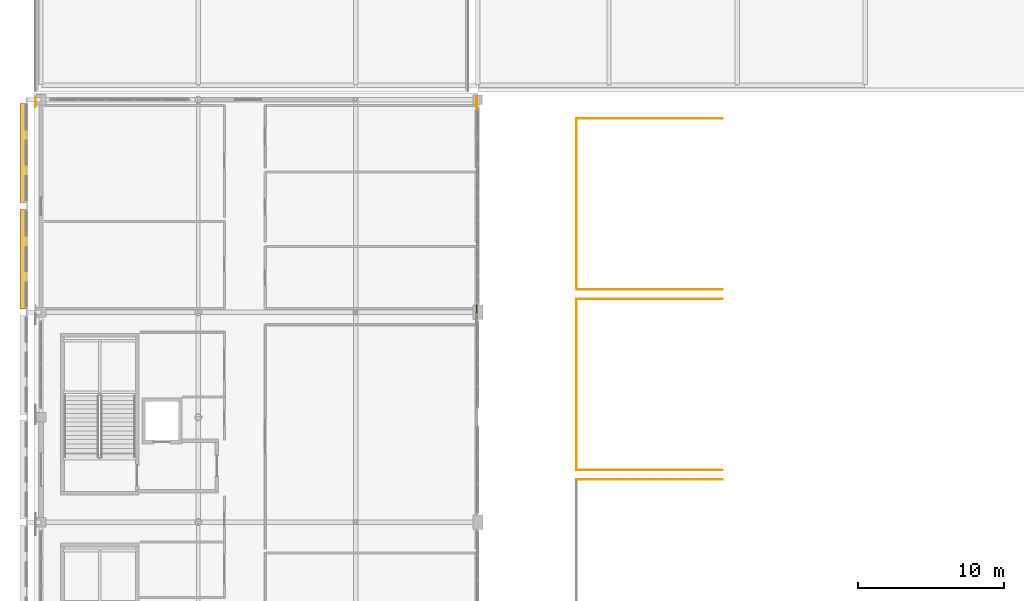
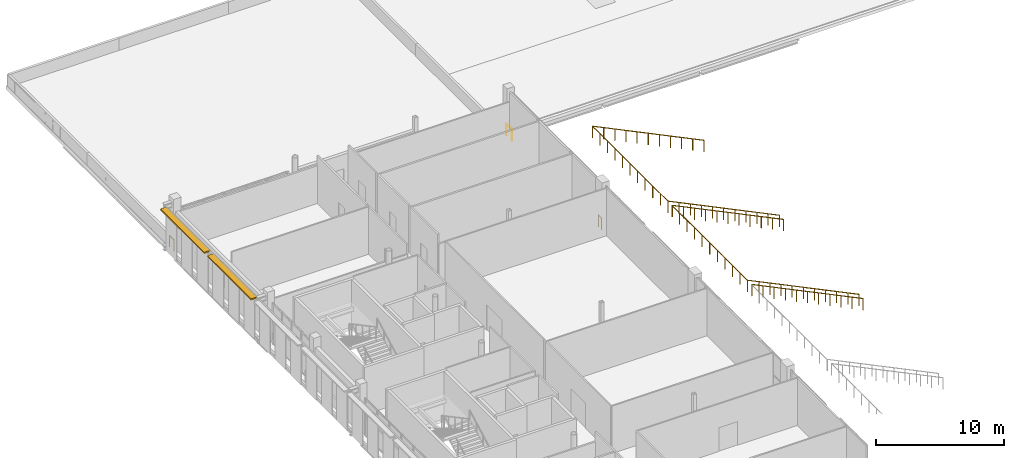
# One storey, part 91 of 104: 10 railings, 2 shading devices.
"""IFC4 building model written with IfcOpenShell, lengths in metres."""

from ifc_helpers import new_model, si_unit, direction, frame, origin, origin_2d, place, context, subcontext, project, spatial, rectangle, circle, extrude, material, type_object, element, save


model = new_model("IFC4")

# Units and contexts
model_context = context("Model", 3, precision=1e-05, world=origin(), true_north=direction((0.0, 1.0)))
body_context = subcontext(model_context, "Body", "Model", "MODEL_VIEW")
ifc_project = project(units=[si_unit("LENGTHUNIT", "METRE"), si_unit("AREAUNIT", "SQUARE_METRE"), si_unit("VOLUMEUNIT", "CUBIC_METRE"), si_unit("PLANEANGLEUNIT", "RADIAN"), si_unit("MASSUNIT", "GRAM", prefix="KILO")], contexts=[model_context])

# Site, building, storey
site_placement = place(None, origin())
site = spatial("IfcSite", under=ifc_project, at=site_placement, CompositionType="ELEMENT")
building_placement = place(site_placement, origin())
building = spatial("IfcBuilding", under=site, at=building_placement, Name="Koshinbarg Plaza Stadium", CompositionType="ELEMENT")
storey_placement = place(building_placement, frame((0.0, 0.0, 19.800048828125)))
storey = spatial("IfcBuildingStorey", under=building, at=storey_placement, Name="L04", CompositionType="ELEMENT", Elevation=19.800048828125)

# Railings
ifc_material_1 = material(Name="Toughened laminated glass and stainless steel sightline balustrade", Category="steel")
railing_type_1 = type_object("IfcRailingType", Name="RL-BOWL-1100", PredefinedType="BALUSTRADE", material=ifc_material_1)
railing_1_placement = place(storey_placement, frame((24.22509765625, 126.009765625, 0.0)))
element("IfcRailing", 1, at=railing_1_placement, inside=storey, type_object=railing_type_1, Name="L04 deck edge safety balustrade 0301", PredefinedType="BALUSTRADE", context=body_context, shape_type="SweptSolid", body=[
    extrude(circle(Radius=0.02392578125, at=origin_2d()), frame((0.0, 0.0, 1.076171875), z_axis=(0.0, 1.0, 0.0), x_axis=(-1.0, 0.0, 0.0)), (0.0, 0.0, 1.0), 0.67529296875),
    extrude(circle(Radius=0.02099609375, at=origin_2d()), origin(), (0.0, 0.0, 1.0), 1.052001953125),
    extrude(circle(Radius=0.02099609375, at=origin_2d()), frame((0.0, 0.67529296875, 0.0)), (0.0, 0.0, 1.0), 1.052001953125),
])
railing_2_placement = place(storey_placement, frame((54.52001953125, 126.6943359375, 0.0)))
element("IfcRailing", 2, at=railing_2_placement, inside=storey, type_object=railing_type_1, Name="L04 deck edge safety balustrade 0302", PredefinedType="BALUSTRADE", context=body_context, shape_type="SweptSolid", body=[
    extrude(circle(Radius=0.02392578125, at=origin_2d()), frame((0.0, 0.0, 1.076171875), z_axis=(0.0, -1.0, 0.0), x_axis=(1.0, 0.0, 0.0)), (0.0, 0.0, 1.0), 0.833740234375),
    extrude(circle(Radius=0.02099609375, at=origin_2d()), origin(), (0.0, 0.0, 1.0), 1.052001953125),
    extrude(circle(Radius=0.02099609375, at=origin_2d()), frame((0.0, -0.833740234375, 0.0)), (0.0, 0.0, 1.0), 1.052001953125),
])
railing_3_placement = place(storey_placement, frame((54.52001953125, 112.398193359375, 0.0)))
element("IfcRailing", 3, at=railing_3_placement, inside=storey, type_object=railing_type_1, Name="L04 deck edge safety balustrade 0303", PredefinedType="BALUSTRADE", context=body_context, shape_type="SweptSolid", body=[
    extrude(circle(Radius=0.02392578125, at=origin_2d()), frame((0.0, 0.0, 1.076171875), z_axis=(0.0, -1.0, 0.0), x_axis=(1.0, 0.0, 0.0)), (0.0, 0.0, 1.0), 0.498291015625),
    extrude(circle(Radius=0.02099609375, at=origin_2d()), origin(), (0.0, 0.0, 1.0), 1.052001953125),
    extrude(circle(Radius=0.02099609375, at=origin_2d()), frame((0.0, -0.498291015625, 0.0)), (0.0, 0.0, 1.0), 1.052001953125),
])
ifc_material_2 = material(Name="Galvanized painted steel guardrail", Category="steel")
railing_type_2 = type_object("IfcRailingType", Name="RL-GUARD-1100", PredefinedType="GUARDRAIL", material=ifc_material_2)
railing_4_placement = place(storey_placement, frame((71.39990234375, 100.419921875, -6.580078125)))
element("IfcRailing", 4, at=railing_4_placement, inside=storey, type_object=railing_type_2, Name="UT-W06 stepped aisle guard R", PredefinedType="GUARDRAIL", context=body_context, shape_type="SweptSolid", body=[
    extrude(circle(Radius=0.02392578125, at=origin_2d()), frame((0.0, 0.0, 1.076171875), z_axis=(-0.900110607261, 0.0, 0.435661445043), x_axis=(0.0, -1.0, 0.0)), (0.0, 0.0, 1.0), 11.10986328125),
    extrude(circle(Radius=0.02099609375, at=origin_2d()), origin(), (0.0, 0.0, 1.0), 1.052001953125),
    extrude(circle(Radius=0.02099609375, at=origin_2d()), frame((-1.0, 0.0, 0.48388671875)), (0.0, 0.0, 1.0), 1.052001953125),
    extrude(circle(Radius=0.02099609375, at=origin_2d()), frame((-2.0, 0.0, 0.968017578125)), (0.0, 0.0, 1.0), 1.052001953125),
    extrude(circle(Radius=0.02099609375, at=origin_2d()), frame((-3.0, 0.0, 1.4521484375)), (0.0, 0.0, 1.0), 1.052001953125),
    extrude(circle(Radius=0.02099609375, at=origin_2d()), frame((-4.0, 0.0, 1.93603515625)), (0.0, 0.0, 1.0), 1.052001953125),
    extrude(circle(Radius=0.02099609375, at=origin_2d()), frame((-5.0, 0.0, 2.419921875)), (0.0, 0.0, 1.0), 1.052001953125),
    extrude(circle(Radius=0.02099609375, at=origin_2d()), frame((-6.0, 0.0, 2.904052734375)), (0.0, 0.0, 1.0), 1.052001953125),
    extrude(circle(Radius=0.02099609375, at=origin_2d()), frame((-7.0, 0.0, 3.38818359375)), (0.0, 0.0, 1.0), 1.052001953125),
    extrude(circle(Radius=0.02099609375, at=origin_2d()), frame((-8.0, 0.0, 3.8720703125)), (0.0, 0.0, 1.0), 1.052001953125),
    extrude(circle(Radius=0.02099609375, at=origin_2d()), frame((-9.0, 0.0, 4.35595703125)), (0.0, 0.0, 1.0), 1.052001953125),
    extrude(circle(Radius=0.02099609375, at=origin_2d()), frame((-10.0, 0.0, 4.840087890625)), (0.0, 0.0, 1.0), 1.052001953125),
])
railing_5_placement = place(storey_placement, frame((61.3798828125, 101.080078125, -1.739990234375)))
element("IfcRailing", 5, at=railing_5_placement, inside=storey, type_object=railing_type_2, Name="UT-W07 rear stand guard", PredefinedType="GUARDRAIL", context=body_context, shape_type="SweptSolid", body=[
    extrude(circle(Radius=0.02392578125, at=origin_2d()), frame((0.0, 0.0, 1.076171875), z_axis=(0.0, 1.0, 0.0), x_axis=(-1.0, 0.0, 0.0)), (0.0, 0.0, 1.0), 11.739990234375),
    extrude(circle(Radius=0.02099609375, at=origin_2d()), origin(), (0.0, 0.0, 1.0), 1.052001953125),
    extrude(circle(Radius=0.02099609375, at=origin_2d()), frame((0.0, 1.174072265625, 0.0)), (0.0, 0.0, 1.0), 1.052001953125),
    extrude(circle(Radius=0.02099609375, at=origin_2d()), frame((0.0, 2.347900390625, 0.0)), (0.0, 0.0, 1.0), 1.052001953125),
    extrude(circle(Radius=0.02099609375, at=origin_2d()), frame((0.0, 3.52197265625, 0.0)), (0.0, 0.0, 1.0), 1.052001953125),
    extrude(circle(Radius=0.02099609375, at=origin_2d()), frame((0.0, 4.696044921875, 0.0)), (0.0, 0.0, 1.0), 1.052001953125),
    extrude(circle(Radius=0.02099609375, at=origin_2d()), frame((0.0, 5.8701171875, 0.0)), (0.0, 0.0, 1.0), 1.052001953125),
    extrude(circle(Radius=0.02099609375, at=origin_2d()), frame((0.0, 7.0439453125, 0.0)), (0.0, 0.0, 1.0), 1.052001953125),
    extrude(circle(Radius=0.02099609375, at=origin_2d()), frame((0.0, 8.218017578125, 0.0)), (0.0, 0.0, 1.0), 1.052001953125),
    extrude(circle(Radius=0.02099609375, at=origin_2d()), frame((0.0, 9.39208984375, 0.0)), (0.0, 0.0, 1.0), 1.052001953125),
    extrude(circle(Radius=0.02099609375, at=origin_2d()), frame((0.0, 10.56591796875, 0.0)), (0.0, 0.0, 1.0), 1.052001953125),
    extrude(circle(Radius=0.02099609375, at=origin_2d()), frame((0.0, 11.739990234375, 0.0)), (0.0, 0.0, 1.0), 1.052001953125),
])
for number, where, name in (
    (6, (71.39990234375, 101.080078125, -6.580078125), "UT-W07 stepped aisle guard L"),
    (7, (71.39990234375, 112.820068359375, -6.580078125), "UT-W07 stepped aisle guard R"),
):
    element("IfcRailing", number, at=place(storey_placement, frame(where)), inside=storey, type_object=railing_type_2, Name=name, PredefinedType="GUARDRAIL", context=body_context, shape_type="SweptSolid", body=[
        extrude(circle(Radius=0.02392578125, at=origin_2d()), frame((0.0, 0.0, 1.076171875), z_axis=(-0.900110607261, 0.0, 0.435661445043), x_axis=(0.0, -1.0, 0.0)), (0.0, 0.0, 1.0), 11.10986328125),
        extrude(circle(Radius=0.02099609375, at=origin_2d()), origin(), (0.0, 0.0, 1.0), 1.052001953125),
        extrude(circle(Radius=0.02099609375, at=origin_2d()), frame((-1.0, 0.0, 0.48388671875)), (0.0, 0.0, 1.0), 1.052001953125),
        extrude(circle(Radius=0.02099609375, at=origin_2d()), frame((-2.0, 0.0, 0.968017578125)), (0.0, 0.0, 1.0), 1.052001953125),
        extrude(circle(Radius=0.02099609375, at=origin_2d()), frame((-3.0, 0.0, 1.4521484375)), (0.0, 0.0, 1.0), 1.052001953125),
        extrude(circle(Radius=0.02099609375, at=origin_2d()), frame((-4.0, 0.0, 1.93603515625)), (0.0, 0.0, 1.0), 1.052001953125),
        extrude(circle(Radius=0.02099609375, at=origin_2d()), frame((-5.0, 0.0, 2.419921875)), (0.0, 0.0, 1.0), 1.052001953125),
        extrude(circle(Radius=0.02099609375, at=origin_2d()), frame((-6.0, 0.0, 2.904052734375)), (0.0, 0.0, 1.0), 1.052001953125),
        extrude(circle(Radius=0.02099609375, at=origin_2d()), frame((-7.0, 0.0, 3.38818359375)), (0.0, 0.0, 1.0), 1.052001953125),
        extrude(circle(Radius=0.02099609375, at=origin_2d()), frame((-8.0, 0.0, 3.8720703125)), (0.0, 0.0, 1.0), 1.052001953125),
        extrude(circle(Radius=0.02099609375, at=origin_2d()), frame((-9.0, 0.0, 4.35595703125)), (0.0, 0.0, 1.0), 1.052001953125),
        extrude(circle(Radius=0.02099609375, at=origin_2d()), frame((-10.0, 0.0, 4.840087890625)), (0.0, 0.0, 1.0), 1.052001953125),
    ])
railing_6_placement = place(storey_placement, frame((61.3798828125, 113.47998046875, -1.739990234375)))
element("IfcRailing", 8, at=railing_6_placement, inside=storey, type_object=railing_type_2, Name="UT-W08 rear stand guard", PredefinedType="GUARDRAIL", context=body_context, shape_type="SweptSolid", body=[
    extrude(circle(Radius=0.02392578125, at=origin_2d()), frame((0.0, 0.0, 1.076171875), z_axis=(0.0, 1.0, 0.0), x_axis=(-1.0, 0.0, 0.0)), (0.0, 0.0, 1.0), 11.739990234375),
    extrude(circle(Radius=0.02099609375, at=origin_2d()), origin(), (0.0, 0.0, 1.0), 1.052001953125),
    extrude(circle(Radius=0.02099609375, at=origin_2d()), frame((0.0, 1.174072265625, 0.0)), (0.0, 0.0, 1.0), 1.052001953125),
    extrude(circle(Radius=0.02099609375, at=origin_2d()), frame((0.0, 2.347900390625, 0.0)), (0.0, 0.0, 1.0), 1.052001953125),
    extrude(circle(Radius=0.02099609375, at=origin_2d()), frame((0.0, 3.52197265625, 0.0)), (0.0, 0.0, 1.0), 1.052001953125),
    extrude(circle(Radius=0.02099609375, at=origin_2d()), frame((0.0, 4.696044921875, 0.0)), (0.0, 0.0, 1.0), 1.052001953125),
    extrude(circle(Radius=0.02099609375, at=origin_2d()), frame((0.0, 5.8701171875, 0.0)), (0.0, 0.0, 1.0), 1.052001953125),
    extrude(circle(Radius=0.02099609375, at=origin_2d()), frame((0.0, 7.0439453125, 0.0)), (0.0, 0.0, 1.0), 1.052001953125),
    extrude(circle(Radius=0.02099609375, at=origin_2d()), frame((0.0, 8.218017578125, 0.0)), (0.0, 0.0, 1.0), 1.052001953125),
    extrude(circle(Radius=0.02099609375, at=origin_2d()), frame((0.0, 9.39208984375, 0.0)), (0.0, 0.0, 1.0), 1.052001953125),
    extrude(circle(Radius=0.02099609375, at=origin_2d()), frame((0.0, 10.56591796875, 0.0)), (0.0, 0.0, 1.0), 1.052001953125),
    extrude(circle(Radius=0.02099609375, at=origin_2d()), frame((0.0, 11.739990234375, 0.0)), (0.0, 0.0, 1.0), 1.052001953125),
])
for number, where, name in (
    (9, (71.39990234375, 113.47998046875, -6.580078125), "UT-W08 stepped aisle guard L"),
    (10, (71.39990234375, 125.219970703125, -6.580078125), "UT-W08 stepped aisle guard R"),
):
    element("IfcRailing", number, at=place(storey_placement, frame(where)), inside=storey, type_object=railing_type_2, Name=name, PredefinedType="GUARDRAIL", context=body_context, shape_type="SweptSolid", body=[
        extrude(circle(Radius=0.02392578125, at=origin_2d()), frame((0.0, 0.0, 1.076171875), z_axis=(-0.900110607261, 0.0, 0.435661445043), x_axis=(0.0, -1.0, 0.0)), (0.0, 0.0, 1.0), 11.10986328125),
        extrude(circle(Radius=0.02099609375, at=origin_2d()), origin(), (0.0, 0.0, 1.0), 1.052001953125),
        extrude(circle(Radius=0.02099609375, at=origin_2d()), frame((-1.0, 0.0, 0.48388671875)), (0.0, 0.0, 1.0), 1.052001953125),
        extrude(circle(Radius=0.02099609375, at=origin_2d()), frame((-2.0, 0.0, 0.968017578125)), (0.0, 0.0, 1.0), 1.052001953125),
        extrude(circle(Radius=0.02099609375, at=origin_2d()), frame((-3.0, 0.0, 1.4521484375)), (0.0, 0.0, 1.0), 1.052001953125),
        extrude(circle(Radius=0.02099609375, at=origin_2d()), frame((-4.0, 0.0, 1.93603515625)), (0.0, 0.0, 1.0), 1.052001953125),
        extrude(circle(Radius=0.02099609375, at=origin_2d()), frame((-5.0, 0.0, 2.419921875)), (0.0, 0.0, 1.0), 1.052001953125),
        extrude(circle(Radius=0.02099609375, at=origin_2d()), frame((-6.0, 0.0, 2.904052734375)), (0.0, 0.0, 1.0), 1.052001953125),
        extrude(circle(Radius=0.02099609375, at=origin_2d()), frame((-7.0, 0.0, 3.38818359375)), (0.0, 0.0, 1.0), 1.052001953125),
        extrude(circle(Radius=0.02099609375, at=origin_2d()), frame((-8.0, 0.0, 3.8720703125)), (0.0, 0.0, 1.0), 1.052001953125),
        extrude(circle(Radius=0.02099609375, at=origin_2d()), frame((-9.0, 0.0, 4.35595703125)), (0.0, 0.0, 1.0), 1.052001953125),
        extrude(circle(Radius=0.02099609375, at=origin_2d()), frame((-10.0, 0.0, 4.840087890625)), (0.0, 0.0, 1.0), 1.052001953125),
    ])

# Shading devices
ifc_material_3 = material(Name="Off-white powder-coated aluminium sun-baffle louvre", Category="aluminium")
shading_device_type = type_object("IfcShadingDeviceType", Name="SHD-LOUVRE-01", PredefinedType="USERDEFINED", material=ifc_material_3)
for number, where, z_axis, x_axis, name in (
    (11, (23.429931640625, 115.550048828125, 4.119873046875), (0.0, 0.0, 1.0), (1.0, 0.0, 0.0), "L04 solar brise-soleil louvre 27"),
    (12, (23.429931640625, 122.85009765625, 4.119873046875), (0.0, 0.0, 1.0), (1.0, 0.0, 0.0), "L04 solar brise-soleil louvre 28"),
):
    element("IfcShadingDevice", number, at=place(storey_placement, frame(where, z_axis=z_axis, x_axis=x_axis)), inside=storey, type_object=shading_device_type, Name=name, ObjectType="LOUVRE", PredefinedType="USERDEFINED", context=body_context, shape_type="SweptSolid", body=[
        extrude(rectangle(XDim=0.550048828125, YDim=6.800048828125, at=origin_2d()), origin(), (0.0, 0.0, 1.0), 0.1201171875),
    ])

save(model, "model.ifc")
